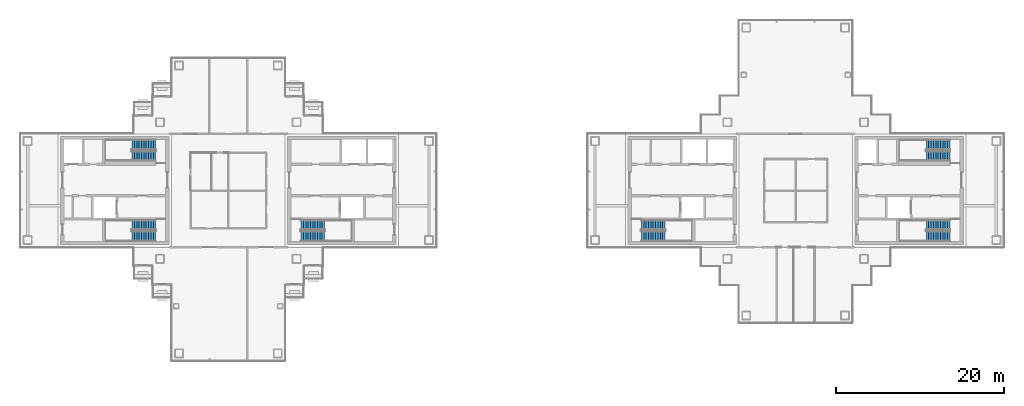
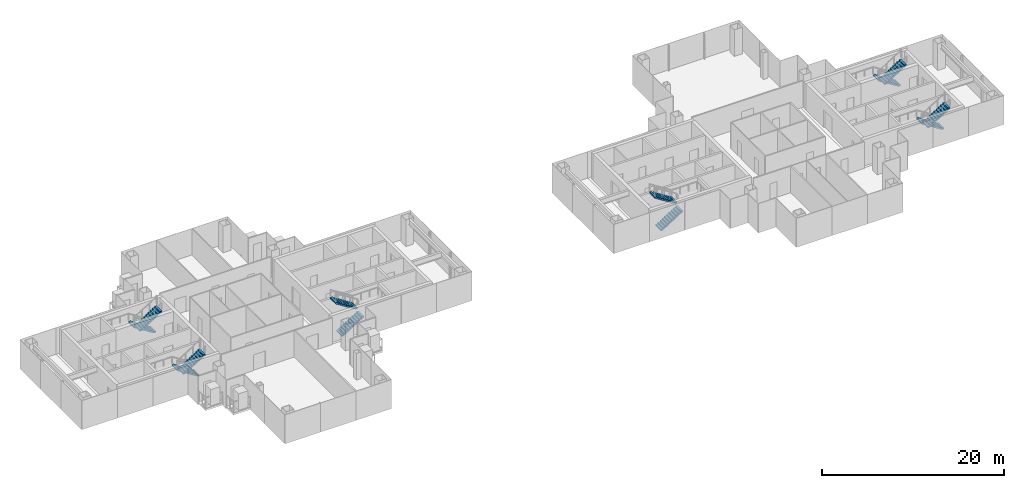
# One storey, part 12 of 15: 12 stair flights, 6 elements without a shape of their own.
"""IFC4 building model written with IfcOpenShell, lengths in metres."""

from ifc_helpers import new_model, si_unit, direction, frame, origin, place, context, subcontext, project, spatial, polyline, outline, extrude, material, type_object, element, aggregate, save


model = new_model("IFC4")

# Units and contexts
model_context = context("Model", 3, precision=1e-05, world=origin(), true_north=direction((0.0, 1.0)))
body_context = subcontext(model_context, "Body", "Model", "MODEL_VIEW")
ifc_project = project(units=[si_unit("LENGTHUNIT", "METRE"), si_unit("AREAUNIT", "SQUARE_METRE"), si_unit("VOLUMEUNIT", "CUBIC_METRE"), si_unit("PLANEANGLEUNIT", "RADIAN"), si_unit("MASSUNIT", "GRAM", prefix="KILO")], contexts=[model_context])

# Site, building, storey
site_placement = place(None, origin())
site = spatial("IfcSite", under=ifc_project, at=site_placement, CompositionType="ELEMENT")
building_placement = place(site_placement, origin())
building = spatial("IfcBuilding", under=site, at=building_placement, Name="Shamsa Quay Exchange Towers", CompositionType="ELEMENT")
storey_placement = place(building_placement, frame((0.0, 0.0, 202.199951171875)))
storey = spatial("IfcBuildingStorey", under=building, at=storey_placement, Name="L48", CompositionType="ELEMENT", Elevation=202.199951171875)

# Stair, stair flights
ifc_material = material(Name="Concrete C40/50", Category="concrete")
stair_type = type_object("IfcStairType", Name="EXIT STAIR 22 RISERS 177 MM", PredefinedType="HALF_TURN_STAIR", material=ifc_material)
stair_1_placement = place(storey_placement, origin())
stair_1 = element("IfcStair", 1, at=stair_1_placement, inside=storey, type_object=stair_type, Name="L48 Exit stair ST1", PredefinedType="HALF_TURN_STAIR")
stair_flight_type = type_object("IfcStairFlightType", Name="EXIT STAIR FLIGHT 11 RISERS 177 MM", PredefinedType="STRAIGHT", material=ifc_material)
stair_flight_1_placement = place(storey_placement, frame((-25.10009765625, -5.449951171875, 0.0)))
stair_flight_1 = element("IfcStairFlight", 2, at=stair_flight_1_placement, type_object=stair_flight_type, Name="ST1 flight 1", NumberOfRisers=11, NumberOfTreads=10, PredefinedType="STRAIGHT", RiserHeight=0.177272727, TreadLength=0.28, context=body_context, shape_type="SweptSolid", body=[
    extrude(outline(polyline([(0.0, 0.0), (0.0, 0.17724609375), (0.280029296875, 0.17724609375), (0.280029296875, 0.3544921875), (0.56005859375, 0.3544921875), (0.56005859375, 0.53173828125), (0.840087890625, 0.53173828125), (0.840087890625, 0.708984375), (1.1201171875, 0.708984375), (1.1201171875, 0.886474609375), (1.39990234375, 0.886474609375), (1.39990234375, 1.063720703125), (1.679931640625, 1.063720703125), (1.679931640625, 1.240966796875), (1.9599609375, 1.240966796875), (1.9599609375, 1.418212890625), (2.239990234375, 1.418212890625), (2.239990234375, 1.595458984375), (2.52001953125, 1.595458984375), (2.52001953125, 1.772705078125), (2.800048828125, 1.772705078125), (2.800048828125, 1.949951171875), (2.800048828125, 1.607177734375), (0.261474609375, 0.0), (0.0, 0.0)])), frame((0.0, 0.60009765625, 0.0), z_axis=(0.0, -1.0, 0.0), x_axis=(1.0, 0.0, 0.0)), (0.0, 0.0, 1.0), 1.199951171875),
])
stair_flight_2_placement = place(storey_placement, frame((-22.300048828125, -4.10009765625, 1.949951171875), z_axis=(0.0, 0.0, 1.0), x_axis=(-1.0, 0.0, 0.0)))
stair_flight_2 = element("IfcStairFlight", 3, at=stair_flight_2_placement, type_object=stair_flight_type, Name="ST1 flight 2", NumberOfRisers=11, NumberOfTreads=10, PredefinedType="STRAIGHT", RiserHeight=0.177272727, TreadLength=0.28, context=body_context, shape_type="SweptSolid", body=[
    extrude(outline(polyline([(0.0, 0.0), (0.0, 0.17724609375), (0.280029296875, 0.17724609375), (0.280029296875, 0.3544921875), (0.56005859375, 0.3544921875), (0.56005859375, 0.53173828125), (0.840087890625, 0.53173828125), (0.840087890625, 0.708984375), (1.1201171875, 0.708984375), (1.1201171875, 0.886474609375), (1.39990234375, 0.886474609375), (1.39990234375, 1.063720703125), (1.679931640625, 1.063720703125), (1.679931640625, 1.240966796875), (1.9599609375, 1.240966796875), (1.9599609375, 1.418212890625), (2.239990234375, 1.418212890625), (2.239990234375, 1.595458984375), (2.52001953125, 1.595458984375), (2.52001953125, 1.772705078125), (2.800048828125, 1.772705078125), (2.800048828125, 1.949951171875), (2.800048828125, 1.607177734375), (0.261474609375, 0.0), (0.0, 0.0)])), frame((0.0, 0.60009765625, 0.0), z_axis=(0.0, -1.0, 0.0), x_axis=(1.0, 0.0, 0.0)), (0.0, 0.0, 1.0), 1.199951171875),
])
aggregate(stair_1, [stair_flight_1, stair_flight_2])

stair_2_placement = place(storey_placement, origin())
stair_2 = element("IfcStair", 4, at=stair_2_placement, inside=storey, type_object=stair_type, Name="L48 Exit stair ST2", PredefinedType="HALF_TURN_STAIR")
stair_flight_3_placement = place(storey_placement, frame((-42.39990234375, -4.10009765625, 0.0), z_axis=(0.0, 0.0, 1.0), x_axis=(-1.0, 0.0, 0.0)))
stair_flight_3 = element("IfcStairFlight", 5, at=stair_flight_3_placement, type_object=stair_flight_type, Name="ST2 flight 1", NumberOfRisers=11, NumberOfTreads=10, PredefinedType="STRAIGHT", RiserHeight=0.177272727, TreadLength=0.28, context=body_context, shape_type="SweptSolid", body=[
    extrude(outline(polyline([(0.0, 0.0), (0.0, 0.17724609375), (0.280029296875, 0.17724609375), (0.280029296875, 0.3544921875), (0.56005859375, 0.3544921875), (0.56005859375, 0.53173828125), (0.840087890625, 0.53173828125), (0.840087890625, 0.708984375), (1.1201171875, 0.708984375), (1.1201171875, 0.886474609375), (1.39990234375, 0.886474609375), (1.39990234375, 1.063720703125), (1.679931640625, 1.063720703125), (1.679931640625, 1.240966796875), (1.9599609375, 1.240966796875), (1.9599609375, 1.418212890625), (2.239990234375, 1.418212890625), (2.239990234375, 1.595458984375), (2.52001953125, 1.595458984375), (2.52001953125, 1.772705078125), (2.800048828125, 1.772705078125), (2.800048828125, 1.949951171875), (2.800048828125, 1.607177734375), (0.261474609375, 0.0), (0.0, 0.0)])), frame((0.0, 0.60009765625, 0.0), z_axis=(0.0, -1.0, 0.0), x_axis=(1.0, 0.0, 0.0)), (0.0, 0.0, 1.0), 1.199951171875),
])
stair_flight_4_placement = place(storey_placement, frame((-45.199951171875, -5.449951171875, 1.949951171875)))
stair_flight_4 = element("IfcStairFlight", 6, at=stair_flight_4_placement, type_object=stair_flight_type, Name="ST2 flight 2", NumberOfRisers=11, NumberOfTreads=10, PredefinedType="STRAIGHT", RiserHeight=0.177272727, TreadLength=0.28, context=body_context, shape_type="SweptSolid", body=[
    extrude(outline(polyline([(0.0, 0.0), (0.0, 0.17724609375), (0.280029296875, 0.17724609375), (0.280029296875, 0.3544921875), (0.56005859375, 0.3544921875), (0.56005859375, 0.53173828125), (0.840087890625, 0.53173828125), (0.840087890625, 0.708984375), (1.1201171875, 0.708984375), (1.1201171875, 0.886474609375), (1.39990234375, 0.886474609375), (1.39990234375, 1.063720703125), (1.679931640625, 1.063720703125), (1.679931640625, 1.240966796875), (1.9599609375, 1.240966796875), (1.9599609375, 1.418212890625), (2.239990234375, 1.418212890625), (2.239990234375, 1.595458984375), (2.52001953125, 1.595458984375), (2.52001953125, 1.772705078125), (2.800048828125, 1.772705078125), (2.800048828125, 1.949951171875), (2.800048828125, 1.607177734375), (0.261474609375, 0.0), (0.0, 0.0)])), frame((0.0, 0.60009765625, 0.0), z_axis=(0.0, -1.0, 0.0), x_axis=(1.0, 0.0, 0.0)), (0.0, 0.0, 1.0), 1.199951171875),
])
aggregate(stair_2, [stair_flight_3, stair_flight_4])

stair_3_placement = place(storey_placement, origin())
stair_3 = element("IfcStair", 7, at=stair_3_placement, inside=storey, type_object=stair_type, Name="L48 Exit stair ST3", PredefinedType="HALF_TURN_STAIR")
stair_flight_5_placement = place(storey_placement, frame((-42.39990234375, 5.449951171875, 0.0), z_axis=(0.0, 0.0, 1.0), x_axis=(-1.0, 0.0, 0.0)))
stair_flight_5 = element("IfcStairFlight", 8, at=stair_flight_5_placement, type_object=stair_flight_type, Name="ST3 flight 1", NumberOfRisers=11, NumberOfTreads=10, PredefinedType="STRAIGHT", RiserHeight=0.177272727, TreadLength=0.28, context=body_context, shape_type="SweptSolid", body=[
    extrude(outline(polyline([(0.0, 0.0), (0.0, 0.17724609375), (0.280029296875, 0.17724609375), (0.280029296875, 0.3544921875), (0.56005859375, 0.3544921875), (0.56005859375, 0.53173828125), (0.840087890625, 0.53173828125), (0.840087890625, 0.708984375), (1.1201171875, 0.708984375), (1.1201171875, 0.886474609375), (1.39990234375, 0.886474609375), (1.39990234375, 1.063720703125), (1.679931640625, 1.063720703125), (1.679931640625, 1.240966796875), (1.9599609375, 1.240966796875), (1.9599609375, 1.418212890625), (2.239990234375, 1.418212890625), (2.239990234375, 1.595458984375), (2.52001953125, 1.595458984375), (2.52001953125, 1.772705078125), (2.800048828125, 1.772705078125), (2.800048828125, 1.949951171875), (2.800048828125, 1.607177734375), (0.261474609375, 0.0), (0.0, 0.0)])), frame((0.0, 0.60009765625, 0.0), z_axis=(0.0, -1.0, 0.0), x_axis=(1.0, 0.0, 0.0)), (0.0, 0.0, 1.0), 1.199951171875),
])
stair_flight_6_placement = place(storey_placement, frame((-45.199951171875, 4.10009765625, 1.949951171875)))
stair_flight_6 = element("IfcStairFlight", 9, at=stair_flight_6_placement, type_object=stair_flight_type, Name="ST3 flight 2", NumberOfRisers=11, NumberOfTreads=10, PredefinedType="STRAIGHT", RiserHeight=0.177272727, TreadLength=0.28, context=body_context, shape_type="SweptSolid", body=[
    extrude(outline(polyline([(0.0, 0.0), (0.0, 0.17724609375), (0.280029296875, 0.17724609375), (0.280029296875, 0.3544921875), (0.56005859375, 0.3544921875), (0.56005859375, 0.53173828125), (0.840087890625, 0.53173828125), (0.840087890625, 0.708984375), (1.1201171875, 0.708984375), (1.1201171875, 0.886474609375), (1.39990234375, 0.886474609375), (1.39990234375, 1.063720703125), (1.679931640625, 1.063720703125), (1.679931640625, 1.240966796875), (1.9599609375, 1.240966796875), (1.9599609375, 1.418212890625), (2.239990234375, 1.418212890625), (2.239990234375, 1.595458984375), (2.52001953125, 1.595458984375), (2.52001953125, 1.772705078125), (2.800048828125, 1.772705078125), (2.800048828125, 1.949951171875), (2.800048828125, 1.607177734375), (0.261474609375, 0.0), (0.0, 0.0)])), frame((0.0, 0.60009765625, 0.0), z_axis=(0.0, -1.0, 0.0), x_axis=(1.0, 0.0, 0.0)), (0.0, 0.0, 1.0), 1.199951171875),
])
aggregate(stair_3, [stair_flight_5, stair_flight_6])

stair_4_placement = place(storey_placement, origin())
stair_4 = element("IfcStair", 10, at=stair_4_placement, inside=storey, type_object=stair_type, Name="L48 Exit stair ST4", PredefinedType="HALF_TURN_STAIR")
stair_flight_7_placement = place(storey_placement, frame((15.39990234375, -5.449951171875, 0.0)))
stair_flight_7 = element("IfcStairFlight", 11, at=stair_flight_7_placement, type_object=stair_flight_type, Name="ST4 flight 1", NumberOfRisers=11, NumberOfTreads=10, PredefinedType="STRAIGHT", RiserHeight=0.177272727, TreadLength=0.28, context=body_context, shape_type="SweptSolid", body=[
    extrude(outline(polyline([(0.0, 0.0), (0.0, 0.17724609375), (0.280029296875, 0.17724609375), (0.280029296875, 0.3544921875), (0.56005859375, 0.3544921875), (0.56005859375, 0.53173828125), (0.840087890625, 0.53173828125), (0.840087890625, 0.708984375), (1.1201171875, 0.708984375), (1.1201171875, 0.886474609375), (1.39990234375, 0.886474609375), (1.39990234375, 1.063720703125), (1.679931640625, 1.063720703125), (1.679931640625, 1.240966796875), (1.9599609375, 1.240966796875), (1.9599609375, 1.418212890625), (2.239990234375, 1.418212890625), (2.239990234375, 1.595458984375), (2.52001953125, 1.595458984375), (2.52001953125, 1.772705078125), (2.800048828125, 1.772705078125), (2.800048828125, 1.949951171875), (2.800048828125, 1.607177734375), (0.261474609375, 0.0), (0.0, 0.0)])), frame((0.0, 0.60009765625, 0.0), z_axis=(0.0, -1.0, 0.0), x_axis=(1.0, 0.0, 0.0)), (0.0, 0.0, 1.0), 1.199951171875),
])
stair_flight_8_placement = place(storey_placement, frame((18.199951171875, -4.10009765625, 1.949951171875), z_axis=(0.0, 0.0, 1.0), x_axis=(-1.0, 0.0, 0.0)))
stair_flight_8 = element("IfcStairFlight", 12, at=stair_flight_8_placement, type_object=stair_flight_type, Name="ST4 flight 2", NumberOfRisers=11, NumberOfTreads=10, PredefinedType="STRAIGHT", RiserHeight=0.177272727, TreadLength=0.28, context=body_context, shape_type="SweptSolid", body=[
    extrude(outline(polyline([(0.0, 0.0), (0.0, 0.17724609375), (0.280029296875, 0.17724609375), (0.280029296875, 0.3544921875), (0.56005859375, 0.3544921875), (0.56005859375, 0.53173828125), (0.840087890625, 0.53173828125), (0.840087890625, 0.708984375), (1.1201171875, 0.708984375), (1.1201171875, 0.886474609375), (1.39990234375, 0.886474609375), (1.39990234375, 1.063720703125), (1.679931640625, 1.063720703125), (1.679931640625, 1.240966796875), (1.9599609375, 1.240966796875), (1.9599609375, 1.418212890625), (2.239990234375, 1.418212890625), (2.239990234375, 1.595458984375), (2.52001953125, 1.595458984375), (2.52001953125, 1.772705078125), (2.800048828125, 1.772705078125), (2.800048828125, 1.949951171875), (2.800048828125, 1.607177734375), (0.261474609375, 0.0), (0.0, 0.0)])), frame((0.0, 0.60009765625, 0.0), z_axis=(0.0, -1.0, 0.0), x_axis=(1.0, 0.0, 0.0)), (0.0, 0.0, 1.0), 1.199951171875),
])
aggregate(stair_4, [stair_flight_7, stair_flight_8])

stair_5_placement = place(storey_placement, origin())
stair_5 = element("IfcStair", 13, at=stair_5_placement, inside=storey, type_object=stair_type, Name="L48 Exit stair ST5", PredefinedType="HALF_TURN_STAIR")
stair_flight_9_placement = place(storey_placement, frame((52.10009765625, -4.10009765625, 0.0), z_axis=(0.0, 0.0, 1.0), x_axis=(-1.0, 0.0, 0.0)))
stair_flight_9 = element("IfcStairFlight", 14, at=stair_flight_9_placement, type_object=stair_flight_type, Name="ST5 flight 1", NumberOfRisers=11, NumberOfTreads=10, PredefinedType="STRAIGHT", RiserHeight=0.177272727, TreadLength=0.28, context=body_context, shape_type="SweptSolid", body=[
    extrude(outline(polyline([(0.0, 0.0), (0.0, 0.17724609375), (0.280029296875, 0.17724609375), (0.280029296875, 0.3544921875), (0.56005859375, 0.3544921875), (0.56005859375, 0.53173828125), (0.840087890625, 0.53173828125), (0.840087890625, 0.708984375), (1.1201171875, 0.708984375), (1.1201171875, 0.886474609375), (1.39990234375, 0.886474609375), (1.39990234375, 1.063720703125), (1.679931640625, 1.063720703125), (1.679931640625, 1.240966796875), (1.9599609375, 1.240966796875), (1.9599609375, 1.418212890625), (2.239990234375, 1.418212890625), (2.239990234375, 1.595458984375), (2.52001953125, 1.595458984375), (2.52001953125, 1.772705078125), (2.800048828125, 1.772705078125), (2.800048828125, 1.949951171875), (2.800048828125, 1.607177734375), (0.261474609375, 0.0), (0.0, 0.0)])), frame((0.0, 0.60009765625, 0.0), z_axis=(0.0, -1.0, 0.0), x_axis=(1.0, 0.0, 0.0)), (0.0, 0.0, 1.0), 1.199951171875),
])
stair_flight_10_placement = place(storey_placement, frame((49.300048828125, -5.449951171875, 1.949951171875)))
stair_flight_10 = element("IfcStairFlight", 15, at=stair_flight_10_placement, type_object=stair_flight_type, Name="ST5 flight 2", NumberOfRisers=11, NumberOfTreads=10, PredefinedType="STRAIGHT", RiserHeight=0.177272727, TreadLength=0.28, context=body_context, shape_type="SweptSolid", body=[
    extrude(outline(polyline([(0.0, 0.0), (0.0, 0.17724609375), (0.280029296875, 0.17724609375), (0.280029296875, 0.3544921875), (0.56005859375, 0.3544921875), (0.56005859375, 0.53173828125), (0.840087890625, 0.53173828125), (0.840087890625, 0.708984375), (1.1201171875, 0.708984375), (1.1201171875, 0.886474609375), (1.39990234375, 0.886474609375), (1.39990234375, 1.063720703125), (1.679931640625, 1.063720703125), (1.679931640625, 1.240966796875), (1.9599609375, 1.240966796875), (1.9599609375, 1.418212890625), (2.239990234375, 1.418212890625), (2.239990234375, 1.595458984375), (2.52001953125, 1.595458984375), (2.52001953125, 1.772705078125), (2.800048828125, 1.772705078125), (2.800048828125, 1.949951171875), (2.800048828125, 1.607177734375), (0.261474609375, 0.0), (0.0, 0.0)])), frame((0.0, 0.60009765625, 0.0), z_axis=(0.0, -1.0, 0.0), x_axis=(1.0, 0.0, 0.0)), (0.0, 0.0, 1.0), 1.199951171875),
])
aggregate(stair_5, [stair_flight_9, stair_flight_10])

stair_6_placement = place(storey_placement, origin())
stair_6 = element("IfcStair", 16, at=stair_6_placement, inside=storey, type_object=stair_type, Name="L48 Exit stair ST6", PredefinedType="HALF_TURN_STAIR")
stair_flight_11_placement = place(storey_placement, frame((52.10009765625, 5.449951171875, 0.0), z_axis=(0.0, 0.0, 1.0), x_axis=(-1.0, 0.0, 0.0)))
stair_flight_11 = element("IfcStairFlight", 17, at=stair_flight_11_placement, type_object=stair_flight_type, Name="ST6 flight 1", NumberOfRisers=11, NumberOfTreads=10, PredefinedType="STRAIGHT", RiserHeight=0.177272727, TreadLength=0.28, context=body_context, shape_type="SweptSolid", body=[
    extrude(outline(polyline([(0.0, 0.0), (0.0, 0.17724609375), (0.280029296875, 0.17724609375), (0.280029296875, 0.3544921875), (0.56005859375, 0.3544921875), (0.56005859375, 0.53173828125), (0.840087890625, 0.53173828125), (0.840087890625, 0.708984375), (1.1201171875, 0.708984375), (1.1201171875, 0.886474609375), (1.39990234375, 0.886474609375), (1.39990234375, 1.063720703125), (1.679931640625, 1.063720703125), (1.679931640625, 1.240966796875), (1.9599609375, 1.240966796875), (1.9599609375, 1.418212890625), (2.239990234375, 1.418212890625), (2.239990234375, 1.595458984375), (2.52001953125, 1.595458984375), (2.52001953125, 1.772705078125), (2.800048828125, 1.772705078125), (2.800048828125, 1.949951171875), (2.800048828125, 1.607177734375), (0.261474609375, 0.0), (0.0, 0.0)])), frame((0.0, 0.60009765625, 0.0), z_axis=(0.0, -1.0, 0.0), x_axis=(1.0, 0.0, 0.0)), (0.0, 0.0, 1.0), 1.199951171875),
])
stair_flight_12_placement = place(storey_placement, frame((49.300048828125, 4.10009765625, 1.949951171875)))
stair_flight_12 = element("IfcStairFlight", 18, at=stair_flight_12_placement, type_object=stair_flight_type, Name="ST6 flight 2", NumberOfRisers=11, NumberOfTreads=10, PredefinedType="STRAIGHT", RiserHeight=0.177272727, TreadLength=0.28, context=body_context, shape_type="SweptSolid", body=[
    extrude(outline(polyline([(0.0, 0.0), (0.0, 0.17724609375), (0.280029296875, 0.17724609375), (0.280029296875, 0.3544921875), (0.56005859375, 0.3544921875), (0.56005859375, 0.53173828125), (0.840087890625, 0.53173828125), (0.840087890625, 0.708984375), (1.1201171875, 0.708984375), (1.1201171875, 0.886474609375), (1.39990234375, 0.886474609375), (1.39990234375, 1.063720703125), (1.679931640625, 1.063720703125), (1.679931640625, 1.240966796875), (1.9599609375, 1.240966796875), (1.9599609375, 1.418212890625), (2.239990234375, 1.418212890625), (2.239990234375, 1.595458984375), (2.52001953125, 1.595458984375), (2.52001953125, 1.772705078125), (2.800048828125, 1.772705078125), (2.800048828125, 1.949951171875), (2.800048828125, 1.607177734375), (0.261474609375, 0.0), (0.0, 0.0)])), frame((0.0, 0.60009765625, 0.0), z_axis=(0.0, -1.0, 0.0), x_axis=(1.0, 0.0, 0.0)), (0.0, 0.0, 1.0), 1.199951171875),
])
aggregate(stair_6, [stair_flight_11, stair_flight_12])

save(model, "model.ifc")
